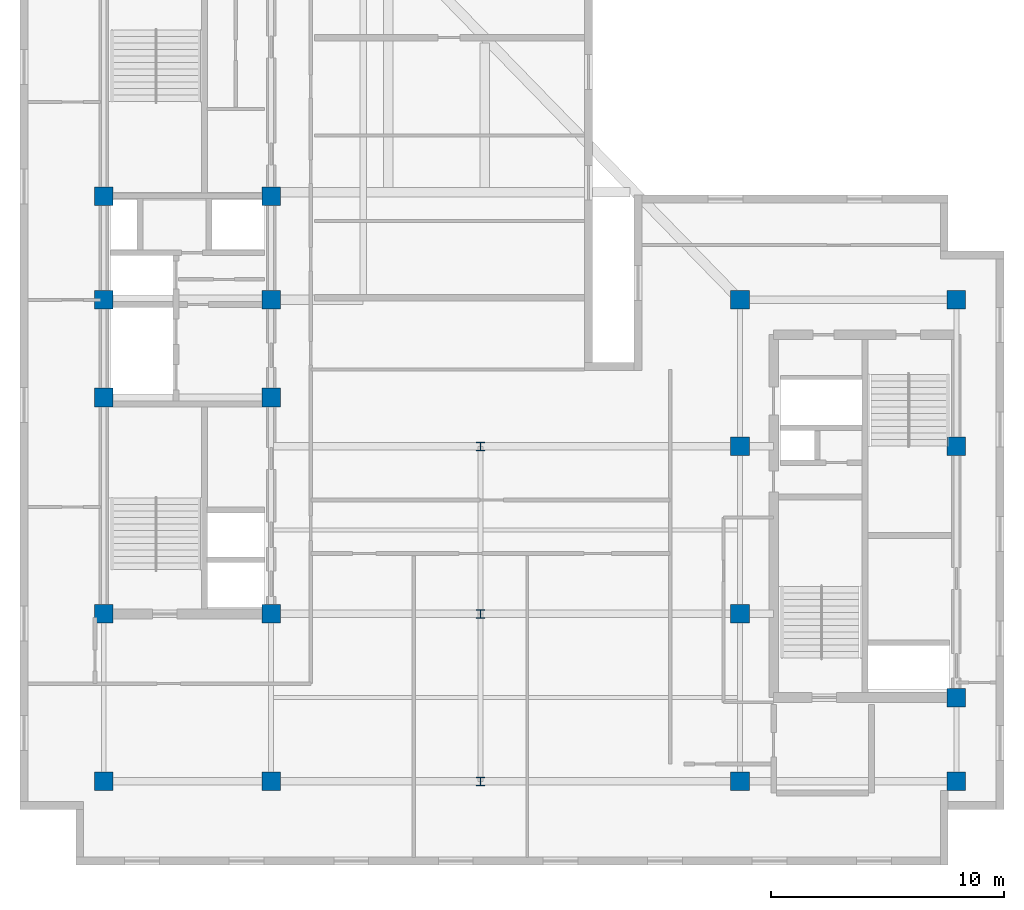
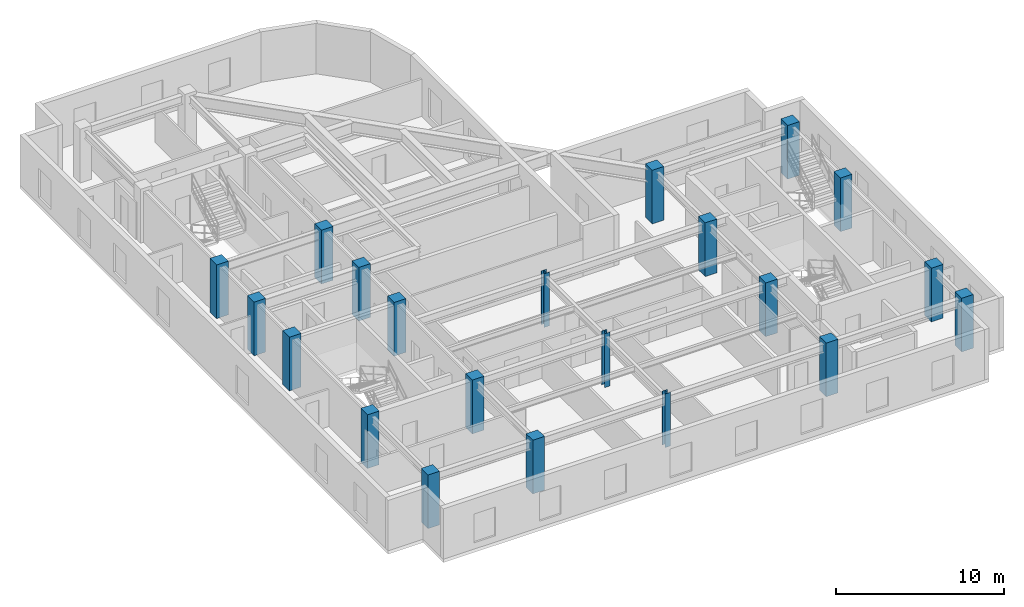
# One storey, part 1 of 10: 21 columns.
"""IFC4 building model written with IfcOpenShell, lengths in metres."""

from ifc_helpers import new_model, entity, si_unit, converted_unit, direction, frame, origin_with_axes, origin_2d_with_axis, place, context, subcontext, project, spatial, rectangle, i_section, extrude, material, material_profile, profile_set, type_object, element, save


model = new_model("IFC4")

# Units and contexts
model_context = context("Model", 3, precision=1e-05, world=origin_with_axes(), true_north=direction((0.0, 1.0)))
body_context = subcontext(model_context, "Body", "Model", "MODEL_VIEW")
ifc_project = project(units=[si_unit("LENGTHUNIT", "METRE"), si_unit("AREAUNIT", "SQUARE_METRE"), si_unit("VOLUMEUNIT", "CUBIC_METRE"), converted_unit("PLANEANGLEUNIT", "DEGREE", entity("IfcPlaneAngleMeasure", 0.017453292519943295), si_unit("PLANEANGLEUNIT", "RADIAN"), dimensions=[0, 0, 0, 0, 0, 0, 0]), si_unit("MASSUNIT", "GRAM", prefix="KILO"), si_unit("THERMODYNAMICTEMPERATUREUNIT", "KELVIN")], contexts=[model_context])

# Site, building, storey
site_placement = place(None, origin_with_axes())
site = spatial("IfcSite", under=ifc_project, at=site_placement, CompositionType="ELEMENT")
building_placement = place(site_placement, origin_with_axes())
building = spatial("IfcBuilding", under=site, at=building_placement, Name="Varnlund Millrace Tower", CompositionType="ELEMENT")
storey_placement = place(building_placement, frame((0.0, 0.0, 280.2), z_axis=(0.0, 0.0, 1.0), x_axis=(1.0, 0.0, 0.0)))
storey = spatial("IfcBuildingStorey", under=building, at=storey_placement, Name="L69", CompositionType="ELEMENT", Elevation=280.2)

# Columns
ifc_material_1 = material(Name="Steel ASTM A992 Grade 50", Category="steel")
ifc_material_profile_1 = material_profile(ifc_material_1, i_section(OverallWidth=0.369, OverallDepth=0.356, WebThickness=0.0112, FlangeThickness=0.018, FilletRadius=0.018, at=origin_2d_with_axis()), Name="Steel ASTM A992 Grade 50")
ifc_profile_set_1 = profile_set([ifc_material_profile_1], Name="Steel ASTM A992 Grade 50")
column_type_1 = type_object("IfcColumnType", Name="Type-Col-Int-W14X90", PredefinedType="COLUMN", material=ifc_profile_set_1)
for number, where, z_axis, x_axis, name in (
    (1, (27.6, 3.6, 0.0), (0.0, 0.0, 1.0), (1.0, 0.0, 0.0), "Type-Col-Int-W14X90"),
    (2, (27.6, 10.8, 0.0), (0.0, 0.0, 1.0), (1.0, 0.0, 0.0), "Type-Col-Int-W14X90"),
    (3, (27.6, 18.0, 0.0), (0.0, 0.0, 1.0), (1.0, 0.0, 0.0), "Type-Col-Int-W14X90"),
):
    element("IfcColumn", number, at=place(storey_placement, frame(where, z_axis=z_axis, x_axis=x_axis)), inside=storey, type_object=column_type_1, Name=name, PredefinedType="COLUMN", context=body_context, shape_type="SweptSolid", body=[
        extrude(i_section(OverallWidth=0.369, OverallDepth=0.356, WebThickness=0.0112, FlangeThickness=0.018, FilletRadius=0.018, at=origin_2d_with_axis()), origin_with_axes(), (0.0, 0.0, 1.0), 3.9),
    ])
ifc_material_2 = material(Name="Concrete C60/75", Category="concrete")
ifc_material_profile_2 = material_profile(ifc_material_2, rectangle(XDim=0.8, YDim=0.8, at=origin_2d_with_axis()), Name="Concrete C60/75")
ifc_profile_set_2 = profile_set([ifc_material_profile_2], Name="Concrete C60/75")
column_type_2 = type_object("IfcColumnType", Name="Type-Col-RC800-C60", PredefinedType="COLUMN", material=ifc_profile_set_2)
for number, where, z_axis, x_axis, name in (
    (4, (11.4, 3.6, 0.0), (0.0, 0.0, 1.0), (1.0, 0.0, 0.0), "Type-Col-RC800-C60"),
    (5, (11.4, 10.8, 0.0), (0.0, 0.0, 1.0), (1.0, 0.0, 0.0), "Type-Col-RC800-C60"),
    (6, (11.4, 20.1, 0.0), (0.0, 0.0, 1.0), (1.0, 0.0, 0.0), "Type-Col-RC800-C60"),
    (7, (11.4, 24.3, 0.0), (0.0, 0.0, 1.0), (1.0, 0.0, 0.0), "Type-Col-RC800-C60"),
    (8, (11.4, 28.75, 0.0), (0.0, 0.0, 1.0), (1.0, 0.0, 0.0), "Type-Col-RC800-C60"),
    (9, (18.6, 3.6, 0.0), (0.0, 0.0, 1.0), (1.0, 0.0, 0.0), "Type-Col-RC800-C60"),
    (10, (18.6, 10.8, 0.0), (0.0, 0.0, 1.0), (1.0, 0.0, 0.0), "Type-Col-RC800-C60"),
    (11, (18.6, 20.1, 0.0), (0.0, 0.0, 1.0), (1.0, 0.0, 0.0), "Type-Col-RC800-C60"),
    (12, (18.6, 24.3, 0.0), (0.0, 0.0, 1.0), (1.0, 0.0, 0.0), "Type-Col-RC800-C60"),
    (13, (18.6, 28.75, 0.0), (0.0, 0.0, 1.0), (1.0, 0.0, 0.0), "Type-Col-RC800-C60"),
    (14, (38.75, 3.6, 0.0), (0.0, 0.0, 1.0), (1.0, 0.0, 0.0), "Type-Col-RC800-C60"),
    (15, (38.75, 10.8, 0.0), (0.0, 0.0, 1.0), (1.0, 0.0, 0.0), "Type-Col-RC800-C60"),
    (16, (38.75, 18.0, 0.0), (0.0, 0.0, 1.0), (1.0, 0.0, 0.0), "Type-Col-RC800-C60"),
    (17, (38.75, 24.3, 0.0), (0.0, 0.0, 1.0), (1.0, 0.0, 0.0), "Type-Col-RC800-C60"),
    (18, (48.05, 3.6, 0.0), (0.0, 0.0, 1.0), (1.0, 0.0, 0.0), "Type-Col-RC800-C60"),
    (19, (48.05, 7.2, 0.0), (0.0, 0.0, 1.0), (1.0, 0.0, 0.0), "Type-Col-RC800-C60"),
    (20, (48.05, 18.0, 0.0), (0.0, 0.0, 1.0), (1.0, 0.0, 0.0), "Type-Col-RC800-C60"),
    (21, (48.05, 24.3, 0.0), (0.0, 0.0, 1.0), (1.0, 0.0, 0.0), "Type-Col-RC800-C60"),
):
    element("IfcColumn", number, at=place(storey_placement, frame(where, z_axis=z_axis, x_axis=x_axis)), inside=storey, type_object=column_type_2, Name=name, PredefinedType="COLUMN", context=body_context, shape_type="SweptSolid", body=[
        extrude(rectangle(XDim=0.8, YDim=0.8, at=origin_2d_with_axis()), origin_with_axes(), (0.0, 0.0, 1.0), 3.9),
    ])

save(model, "model.ifc")
